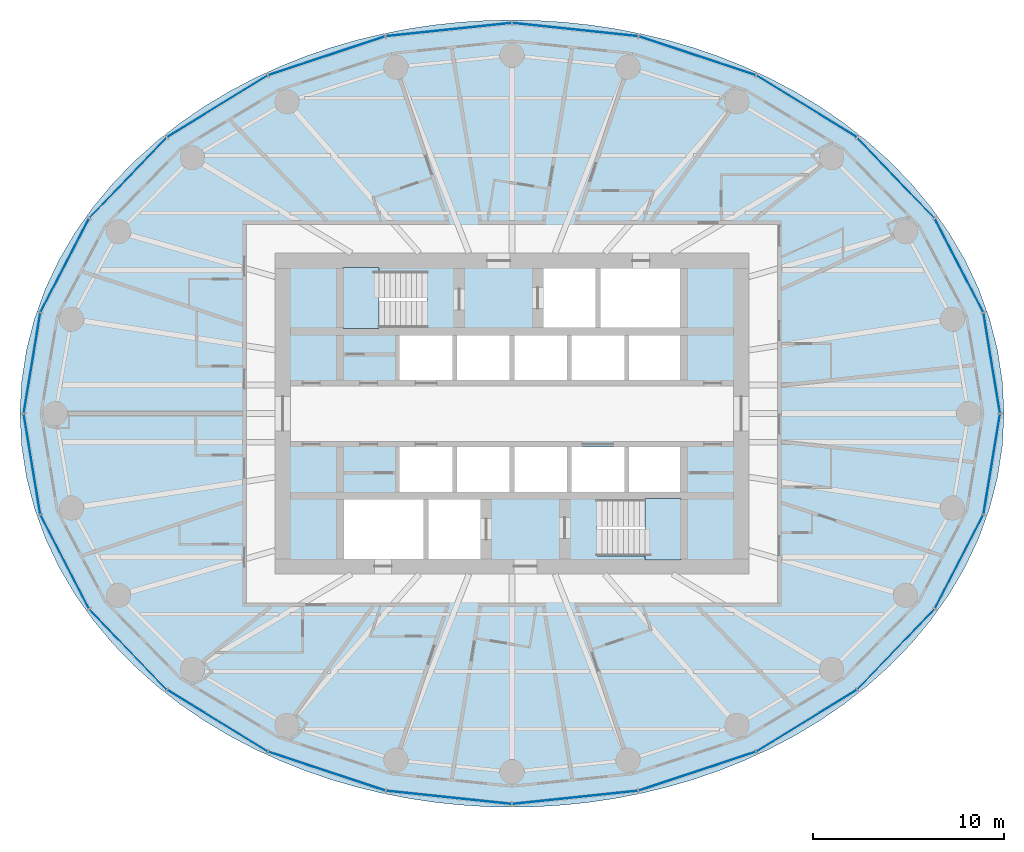
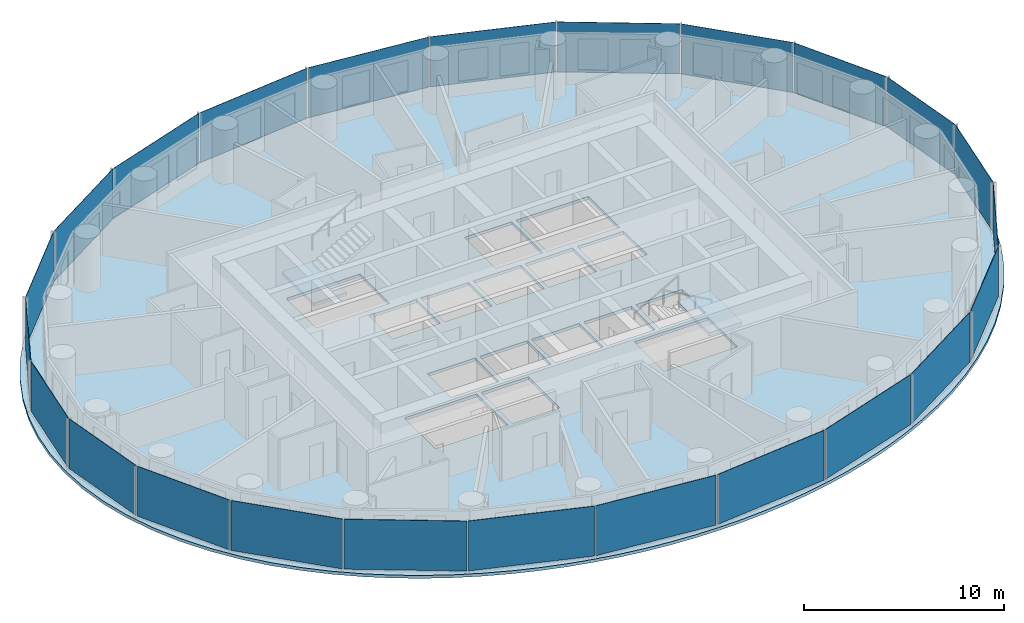
# One storey, part 5 of 13: 24 plates, 3 slabs, 6 elements without a shape of their own.
"""IFC4 building model written with IfcOpenShell, lengths in metres."""

from ifc_helpers import new_model, si_unit, direction, frame, origin, origin_2d, place, context, subcontext, project, spatial, polyline, rectangle, outline, extrude, material, layer, layer_set, type_object, element, aggregate, save


model = new_model("IFC4")

# Units and contexts
model_context = context("Model", 3, precision=1e-05, world=origin(), true_north=direction((0.0, 1.0)))
body_context = subcontext(model_context, "Body", "Model", "MODEL_VIEW")
ifc_project = project(units=[si_unit("LENGTHUNIT", "METRE"), si_unit("AREAUNIT", "SQUARE_METRE"), si_unit("VOLUMEUNIT", "CUBIC_METRE"), si_unit("PLANEANGLEUNIT", "RADIAN"), si_unit("MASSUNIT", "GRAM", prefix="KILO")], contexts=[model_context])

# Site, building, storey
site_placement = place(None, origin())
site = spatial("IfcSite", under=ifc_project, at=site_placement, CompositionType="ELEMENT")
building_placement = place(site_placement, origin())
building = spatial("IfcBuilding", under=site, at=building_placement, Name="Hankou Lantern Tower", CompositionType="ELEMENT")
storey_placement = place(building_placement, frame((0.0, 0.0, 122.10009765625)))
storey = spatial("IfcBuildingStorey", under=building, at=storey_placement, Name="L31", CompositionType="ELEMENT", Elevation=122.10009765625)

# Curtain wall, plates
ifc_material_1 = material(Name="Glass, dark grey tinted laminated", Category="glass")
curtain_wall_type = type_object("IfcCurtainWallType", Name="CWB OUTER SKIN MID-RISE", PredefinedType="USERDEFINED", material=ifc_material_1)
curtain_wall_1_placement = place(storey_placement, origin())
curtain_wall_1 = element("IfcCurtainWall", 1, at=curtain_wall_1_placement, inside=storey, type_object=curtain_wall_type, Name="CWB L31 OS1", ObjectType="OUTER SKIN MID-RISE", PredefinedType="USERDEFINED")
ifc_material_2 = material(Name="Glass, dark grey tinted laminated", Category="glass")
ifc_layer_1 = layer(ifc_material_2, 0.02392578125)
ifc_layer_set_1 = layer_set([ifc_layer_1], Name="Glass, dark grey tinted laminated")
plate_type = type_object("IfcPlateType", Name="PN1 OUTER SKIN GLASS PANEL", PredefinedType="CURTAIN_PANEL", material=ifc_layer_set_1)
plate_1_placement = place(storey_placement, frame((25.11474609375, 2.64501953125, 0.079833984375), z_axis=(0.0, 0.0, 1.0), x_axis=(-0.162381515188, 0.986728049427, 0.0)))
plate_1 = element("IfcPlate", 2, at=plate_1_placement, type_object=plate_type, Name="CWB glass panel 1", PredefinedType="CURTAIN_PANEL", context=body_context, shape_type="SweptSolid", body=[
    extrude(rectangle(XDim=5.281494140625, YDim=0.02392578125, at=origin_2d()), origin(), (0.0, 0.0, 1.0), 3.0400390625),
])
plate_2_placement = place(storey_placement, frame((23.403076171875, 7.755126953125, 0.079833984375), z_axis=(0.0, 0.0, 1.0), x_axis=(-0.459791091957, 0.888027112062, 0.0)))
plate_2 = element("IfcPlate", 3, at=plate_2_placement, type_object=plate_type, Name="CWB glass panel 2", PredefinedType="CURTAIN_PANEL", context=body_context, shape_type="SweptSolid", body=[
    extrude(rectangle(XDim=5.471435546875, YDim=0.02392578125, at=origin_2d()), origin(), (0.0, 0.0, 1.0), 3.0400390625),
])
plate_3_placement = place(storey_placement, frame((20.0966796875, 12.336669921875, 0.079833984375), z_axis=(0.0, 0.0, 1.0), x_axis=(-0.692215809936, 0.721690565599, 0.0)))
plate_3 = element("IfcPlate", 4, at=plate_3_placement, type_object=plate_type, Name="CWB glass panel 3", PredefinedType="CURTAIN_PANEL", context=body_context, shape_type="SweptSolid", body=[
    extrude(rectangle(XDim=5.78564453125, YDim=0.02392578125, at=origin_2d()), origin(), (0.0, 0.0, 1.0), 3.0400390625),
])
plate_4_placement = place(storey_placement, frame((15.4208984375, 16.077392578125, 0.079833984375), z_axis=(0.0, 0.0, 1.0), x_axis=(-0.852237151549, 0.523155653242, 0.0)))
plate_4 = element("IfcPlate", 5, at=plate_4_placement, type_object=plate_type, Name="CWB glass panel 4", PredefinedType="CURTAIN_PANEL", context=body_context, shape_type="SweptSolid", body=[
    extrude(rectangle(XDim=6.129150390625, YDim=0.02392578125, at=origin_2d()), origin(), (0.0, 0.0, 1.0), 3.0400390625),
])
plate_5_placement = place(storey_placement, frame((9.69384765625, 18.72265625, 0.079833984375), z_axis=(0.0, 0.0, 1.0), x_axis=(-0.949240677293, 0.31455068999, 0.0)))
plate_5 = element("IfcPlate", 6, at=plate_5_placement, type_object=plate_type, Name="CWB glass panel 5", PredefinedType="CURTAIN_PANEL", context=body_context, shape_type="SweptSolid", body=[
    extrude(rectangle(XDim=6.41162109375, YDim=0.02392578125, at=origin_2d()), origin(), (0.0, 0.0, 1.0), 3.0400390625),
])
plate_6_placement = place(storey_placement, frame((3.306396484375, 20.091796875, 0.079833984375), z_axis=(0.0, 0.0, 1.0), x_axis=(-0.994499359107, 0.104742659579, 0.0)))
plate_6 = element("IfcPlate", 7, at=plate_6_placement, type_object=plate_type, Name="CWB glass panel 6", PredefinedType="CURTAIN_PANEL", context=body_context, shape_type="SweptSolid", body=[
    extrude(rectangle(XDim=6.5693359375, YDim=0.02392578125, at=origin_2d()), origin(), (0.0, 0.0, 1.0), 3.0400390625),
])
aggregate(curtain_wall_1, [plate_1, plate_2, plate_3, plate_4, plate_5, plate_6])

curtain_wall_2_placement = place(storey_placement, origin())
curtain_wall_2 = element("IfcCurtainWall", 8, at=curtain_wall_2_placement, inside=storey, type_object=curtain_wall_type, Name="CWB L31 OS2", ObjectType="OUTER SKIN MID-RISE", PredefinedType="USERDEFINED")
plate_7_placement = place(storey_placement, frame((-3.306396484375, 20.091796875, 0.079833984375), z_axis=(0.0, 0.0, 1.0), x_axis=(-0.994499359107, -0.104742659579, 0.0)))
plate_7 = element("IfcPlate", 9, at=plate_7_placement, type_object=plate_type, Name="CWB glass panel 1", PredefinedType="CURTAIN_PANEL", context=body_context, shape_type="SweptSolid", body=[
    extrude(rectangle(XDim=6.5693359375, YDim=0.02392578125, at=origin_2d()), origin(), (0.0, 0.0, 1.0), 3.0400390625),
])
plate_8_placement = place(storey_placement, frame((-9.69384765625, 18.72265625, 0.079833984375), z_axis=(0.0, 0.0, 1.0), x_axis=(-0.949240677293, -0.31455068999, 0.0)))
plate_8 = element("IfcPlate", 10, at=plate_8_placement, type_object=plate_type, Name="CWB glass panel 2", PredefinedType="CURTAIN_PANEL", context=body_context, shape_type="SweptSolid", body=[
    extrude(rectangle(XDim=6.41162109375, YDim=0.02392578125, at=origin_2d()), origin(), (0.0, 0.0, 1.0), 3.0400390625),
])
plate_9_placement = place(storey_placement, frame((-15.4208984375, 16.077392578125, 0.079833984375), z_axis=(0.0, 0.0, 1.0), x_axis=(-0.852237151549, -0.523155653242, 0.0)))
plate_9 = element("IfcPlate", 11, at=plate_9_placement, type_object=plate_type, Name="CWB glass panel 3", PredefinedType="CURTAIN_PANEL", context=body_context, shape_type="SweptSolid", body=[
    extrude(rectangle(XDim=6.129150390625, YDim=0.02392578125, at=origin_2d()), origin(), (0.0, 0.0, 1.0), 3.0400390625),
])
plate_10_placement = place(storey_placement, frame((-20.0966796875, 12.336669921875, 0.079833984375), z_axis=(0.0, 0.0, 1.0), x_axis=(-0.692215809936, -0.721690565599, 0.0)))
plate_10 = element("IfcPlate", 12, at=plate_10_placement, type_object=plate_type, Name="CWB glass panel 4", PredefinedType="CURTAIN_PANEL", context=body_context, shape_type="SweptSolid", body=[
    extrude(rectangle(XDim=5.78564453125, YDim=0.02392578125, at=origin_2d()), origin(), (0.0, 0.0, 1.0), 3.0400390625),
])
plate_11_placement = place(storey_placement, frame((-23.403076171875, 7.755126953125, 0.079833984375), z_axis=(0.0, 0.0, 1.0), x_axis=(-0.459791091957, -0.888027112062, 0.0)))
plate_11 = element("IfcPlate", 13, at=plate_11_placement, type_object=plate_type, Name="CWB glass panel 5", PredefinedType="CURTAIN_PANEL", context=body_context, shape_type="SweptSolid", body=[
    extrude(rectangle(XDim=5.471435546875, YDim=0.02392578125, at=origin_2d()), origin(), (0.0, 0.0, 1.0), 3.0400390625),
])
plate_12_placement = place(storey_placement, frame((-25.11474609375, 2.64501953125, 0.079833984375), z_axis=(0.0, 0.0, 1.0), x_axis=(-0.162381515188, -0.986728049427, 0.0)))
plate_12 = element("IfcPlate", 14, at=plate_12_placement, type_object=plate_type, Name="CWB glass panel 6", PredefinedType="CURTAIN_PANEL", context=body_context, shape_type="SweptSolid", body=[
    extrude(rectangle(XDim=5.281494140625, YDim=0.02392578125, at=origin_2d()), origin(), (0.0, 0.0, 1.0), 3.0400390625),
])
aggregate(curtain_wall_2, [plate_7, plate_8, plate_9, plate_10, plate_11, plate_12])

curtain_wall_3_placement = place(storey_placement, origin())
curtain_wall_3 = element("IfcCurtainWall", 15, at=curtain_wall_3_placement, inside=storey, type_object=curtain_wall_type, Name="CWB L31 OS3", ObjectType="OUTER SKIN MID-RISE", PredefinedType="USERDEFINED")
plate_13_placement = place(storey_placement, frame((-25.11474609375, -2.64501953125, 0.079833984375), z_axis=(0.0, 0.0, 1.0), x_axis=(0.162381515188, -0.986728049427, 0.0)))
plate_13 = element("IfcPlate", 16, at=plate_13_placement, type_object=plate_type, Name="CWB glass panel 1", PredefinedType="CURTAIN_PANEL", context=body_context, shape_type="SweptSolid", body=[
    extrude(rectangle(XDim=5.281494140625, YDim=0.02392578125, at=origin_2d()), origin(), (0.0, 0.0, 1.0), 3.0400390625),
])
plate_14_placement = place(storey_placement, frame((-23.403076171875, -7.755126953125, 0.079833984375), z_axis=(0.0, 0.0, 1.0), x_axis=(0.459791091957, -0.888027112062, 0.0)))
plate_14 = element("IfcPlate", 17, at=plate_14_placement, type_object=plate_type, Name="CWB glass panel 2", PredefinedType="CURTAIN_PANEL", context=body_context, shape_type="SweptSolid", body=[
    extrude(rectangle(XDim=5.471435546875, YDim=0.02392578125, at=origin_2d()), origin(), (0.0, 0.0, 1.0), 3.0400390625),
])
plate_15_placement = place(storey_placement, frame((-20.0966796875, -12.336669921875, 0.079833984375), z_axis=(0.0, 0.0, 1.0), x_axis=(0.692215809936, -0.721690565599, 0.0)))
plate_15 = element("IfcPlate", 18, at=plate_15_placement, type_object=plate_type, Name="CWB glass panel 3", PredefinedType="CURTAIN_PANEL", context=body_context, shape_type="SweptSolid", body=[
    extrude(rectangle(XDim=5.78564453125, YDim=0.02392578125, at=origin_2d()), origin(), (0.0, 0.0, 1.0), 3.0400390625),
])
plate_16_placement = place(storey_placement, frame((-15.4208984375, -16.077392578125, 0.079833984375), z_axis=(0.0, 0.0, 1.0), x_axis=(0.852237151549, -0.523155653242, 0.0)))
plate_16 = element("IfcPlate", 19, at=plate_16_placement, type_object=plate_type, Name="CWB glass panel 4", PredefinedType="CURTAIN_PANEL", context=body_context, shape_type="SweptSolid", body=[
    extrude(rectangle(XDim=6.129150390625, YDim=0.02392578125, at=origin_2d()), origin(), (0.0, 0.0, 1.0), 3.0400390625),
])
plate_17_placement = place(storey_placement, frame((-9.69384765625, -18.72265625, 0.079833984375), z_axis=(0.0, 0.0, 1.0), x_axis=(0.949240677293, -0.31455068999, 0.0)))
plate_17 = element("IfcPlate", 20, at=plate_17_placement, type_object=plate_type, Name="CWB glass panel 5", PredefinedType="CURTAIN_PANEL", context=body_context, shape_type="SweptSolid", body=[
    extrude(rectangle(XDim=6.41162109375, YDim=0.02392578125, at=origin_2d()), origin(), (0.0, 0.0, 1.0), 3.0400390625),
])
plate_18_placement = place(storey_placement, frame((-3.306396484375, -20.091796875, 0.079833984375), z_axis=(0.0, 0.0, 1.0), x_axis=(0.994499359107, -0.104742659579, 0.0)))
plate_18 = element("IfcPlate", 21, at=plate_18_placement, type_object=plate_type, Name="CWB glass panel 6", PredefinedType="CURTAIN_PANEL", context=body_context, shape_type="SweptSolid", body=[
    extrude(rectangle(XDim=6.5693359375, YDim=0.02392578125, at=origin_2d()), origin(), (0.0, 0.0, 1.0), 3.0400390625),
])
aggregate(curtain_wall_3, [plate_13, plate_14, plate_15, plate_16, plate_17, plate_18])

curtain_wall_4_placement = place(storey_placement, origin())
curtain_wall_4 = element("IfcCurtainWall", 22, at=curtain_wall_4_placement, inside=storey, type_object=curtain_wall_type, Name="CWB L31 OS4", ObjectType="OUTER SKIN MID-RISE", PredefinedType="USERDEFINED")
plate_19_placement = place(storey_placement, frame((3.306396484375, -20.091796875, 0.079833984375), z_axis=(0.0, 0.0, 1.0), x_axis=(0.994499359107, 0.104742659579, 0.0)))
plate_19 = element("IfcPlate", 23, at=plate_19_placement, type_object=plate_type, Name="CWB glass panel 1", PredefinedType="CURTAIN_PANEL", context=body_context, shape_type="SweptSolid", body=[
    extrude(rectangle(XDim=6.5693359375, YDim=0.02392578125, at=origin_2d()), origin(), (0.0, 0.0, 1.0), 3.0400390625),
])
plate_20_placement = place(storey_placement, frame((9.69384765625, -18.72265625, 0.079833984375), z_axis=(0.0, 0.0, 1.0), x_axis=(0.949240677293, 0.31455068999, 0.0)))
plate_20 = element("IfcPlate", 24, at=plate_20_placement, type_object=plate_type, Name="CWB glass panel 2", PredefinedType="CURTAIN_PANEL", context=body_context, shape_type="SweptSolid", body=[
    extrude(rectangle(XDim=6.41162109375, YDim=0.02392578125, at=origin_2d()), origin(), (0.0, 0.0, 1.0), 3.0400390625),
])
plate_21_placement = place(storey_placement, frame((15.4208984375, -16.077392578125, 0.079833984375), z_axis=(0.0, 0.0, 1.0), x_axis=(0.852237151549, 0.523155653242, 0.0)))
plate_21 = element("IfcPlate", 25, at=plate_21_placement, type_object=plate_type, Name="CWB glass panel 3", PredefinedType="CURTAIN_PANEL", context=body_context, shape_type="SweptSolid", body=[
    extrude(rectangle(XDim=6.129150390625, YDim=0.02392578125, at=origin_2d()), origin(), (0.0, 0.0, 1.0), 3.0400390625),
])
plate_22_placement = place(storey_placement, frame((20.0966796875, -12.336669921875, 0.079833984375), z_axis=(0.0, 0.0, 1.0), x_axis=(0.692215809936, 0.721690565599, 0.0)))
plate_22 = element("IfcPlate", 26, at=plate_22_placement, type_object=plate_type, Name="CWB glass panel 4", PredefinedType="CURTAIN_PANEL", context=body_context, shape_type="SweptSolid", body=[
    extrude(rectangle(XDim=5.78564453125, YDim=0.02392578125, at=origin_2d()), origin(), (0.0, 0.0, 1.0), 3.0400390625),
])
plate_23_placement = place(storey_placement, frame((23.403076171875, -7.755126953125, 0.079833984375), z_axis=(0.0, 0.0, 1.0), x_axis=(0.459791091957, 0.888027112062, 0.0)))
plate_23 = element("IfcPlate", 27, at=plate_23_placement, type_object=plate_type, Name="CWB glass panel 5", PredefinedType="CURTAIN_PANEL", context=body_context, shape_type="SweptSolid", body=[
    extrude(rectangle(XDim=5.471435546875, YDim=0.02392578125, at=origin_2d()), origin(), (0.0, 0.0, 1.0), 3.0400390625),
])
plate_24_placement = place(storey_placement, frame((25.11474609375, -2.64501953125, 0.079833984375), z_axis=(0.0, 0.0, 1.0), x_axis=(0.162381515188, 0.986728049427, 0.0)))
plate_24 = element("IfcPlate", 28, at=plate_24_placement, type_object=plate_type, Name="CWB glass panel 6", PredefinedType="CURTAIN_PANEL", context=body_context, shape_type="SweptSolid", body=[
    extrude(rectangle(XDim=5.281494140625, YDim=0.02392578125, at=origin_2d()), origin(), (0.0, 0.0, 1.0), 3.0400390625),
])
aggregate(curtain_wall_4, [plate_19, plate_20, plate_21, plate_22, plate_23, plate_24])

# Slab
ifc_material_3 = material(Name="Concrete C50", Category="concrete")
ifc_layer_2 = layer(ifc_material_3, 0.179931640625)
ifc_layer_set_2 = layer_set([ifc_layer_2], Name="Concrete C50")
slab_type_1 = type_object("IfcSlabType", Name="S1 CONCRETE FLOOR SLAB 180", PredefinedType="FLOOR", material=ifc_layer_set_2)
slab_1_placement = place(storey_placement, frame((0.0, 0.0, -0.18017578125)))
element("IfcSlab", 29, at=slab_1_placement, inside=storey, type_object=slab_type_1, Name="Floor slab L31", PredefinedType="FLOOR", context=body_context, shape_type="SweptSolid", body=[
    extrude(outline(polyline([(25.75, 0.0), (25.6640625, 1.68212890625), (25.408203125, 3.344970703125), (24.9892578125, 4.970703125), (24.416748046875, 6.54248046875), (23.704345703125, 8.046630859375), (22.86669921875, 9.4716796875), (21.919921875, 10.809814453125), (20.88037109375, 12.05517578125), (19.763427734375, 13.205322265625), (18.58349609375, 14.259765625), (17.35400390625, 15.218994140625), (16.0859375, 16.0859375), (14.7890625, 16.863525390625), (13.47119140625, 17.55615234375), (12.138916015625, 18.167236328125), (10.79736328125, 18.701416015625), (9.449951171875, 19.16259765625), (8.099609375, 19.554443359375), (6.748291015625, 19.8798828125), (5.397216796875, 20.142333984375), (4.046630859375, 20.343994140625), (2.697021484375, 20.486572265625), (1.348388671875, 20.57177734375), (0.0, 20.60009765625), (-1.348388671875, 20.57177734375), (-2.697021484375, 20.486572265625), (-4.046630859375, 20.343994140625), (-5.397216796875, 20.142333984375), (-6.748291015625, 19.8798828125), (-8.099609375, 19.554443359375), (-9.449951171875, 19.16259765625), (-10.79736328125, 18.701416015625), (-12.138916015625, 18.167236328125), (-13.47119140625, 17.55615234375), (-14.7890625, 16.863525390625), (-16.0859375, 16.0859375), (-17.35400390625, 15.218994140625), (-18.58349609375, 14.259765625), (-19.763427734375, 13.205322265625), (-20.88037109375, 12.05517578125), (-21.919921875, 10.809814453125), (-22.86669921875, 9.4716796875), (-23.704345703125, 8.046630859375), (-24.416748046875, 6.54248046875), (-24.9892578125, 4.970703125), (-25.408203125, 3.344970703125), (-25.6640625, 1.68212890625), (-25.75, 0.0), (-25.6640625, -1.68212890625), (-25.408203125, -3.344970703125), (-24.9892578125, -4.970703125), (-24.416748046875, -6.54248046875), (-23.704345703125, -8.046630859375), (-22.86669921875, -9.4716796875), (-21.919921875, -10.809814453125), (-20.88037109375, -12.05517578125), (-19.763427734375, -13.205322265625), (-18.58349609375, -14.259765625), (-17.35400390625, -15.218994140625), (-16.0859375, -16.0859375), (-14.7890625, -16.863525390625), (-13.47119140625, -17.55615234375), (-12.138916015625, -18.167236328125), (-10.79736328125, -18.701416015625), (-9.449951171875, -19.16259765625), (-8.099609375, -19.554443359375), (-6.748291015625, -19.8798828125), (-5.397216796875, -20.142333984375), (-4.046630859375, -20.343994140625), (-2.697021484375, -20.486572265625), (-1.348388671875, -20.57177734375), (0.0, -20.60009765625), (1.348388671875, -20.57177734375), (2.697021484375, -20.486572265625), (4.046630859375, -20.343994140625), (5.397216796875, -20.142333984375), (6.748291015625, -19.8798828125), (8.099609375, -19.554443359375), (9.449951171875, -19.16259765625), (10.79736328125, -18.701416015625), (12.138916015625, -18.167236328125), (13.47119140625, -17.55615234375), (14.7890625, -16.863525390625), (16.0859375, -16.0859375), (17.35400390625, -15.218994140625), (18.58349609375, -14.259765625), (19.763427734375, -13.205322265625), (20.88037109375, -12.05517578125), (21.919921875, -10.809814453125), (22.86669921875, -9.4716796875), (23.704345703125, -8.046630859375), (24.416748046875, -6.54248046875), (24.9892578125, -4.970703125), (25.408203125, -3.344970703125), (25.6640625, -1.68212890625), (25.75, 0.0)]), holes=[polyline([(-5.875, 4.10009765625), (-3.125, 4.10009765625), (-3.125, 1.75), (-5.875, 1.75), (-5.875, 4.10009765625)]), polyline([(-2.875, 4.10009765625), (-0.125, 4.10009765625), (-0.125, 1.75), (-2.875, 1.75), (-2.875, 4.10009765625)]), polyline([(0.125, 4.10009765625), (2.875, 4.10009765625), (2.875, 1.75), (0.125, 1.75), (0.125, 4.10009765625)]), polyline([(3.125, 4.10009765625), (5.875, 4.10009765625), (5.875, 1.75), (3.125, 1.75), (3.125, 4.10009765625)]), polyline([(6.125, 4.10009765625), (8.800048828125, 4.10009765625), (8.800048828125, 1.75), (6.125, 1.75), (6.125, 4.10009765625)]), polyline([(-5.875, -1.75), (-3.125, -1.75), (-3.125, -4.10009765625), (-5.875, -4.10009765625), (-5.875, -1.75)]), polyline([(-2.875, -1.75), (-0.125, -1.75), (-0.125, -4.10009765625), (-2.875, -4.10009765625), (-2.875, -1.75)]), polyline([(0.125, -1.75), (2.875, -1.75), (2.875, -4.10009765625), (0.125, -4.10009765625), (0.125, -1.75)]), polyline([(3.125, -1.75), (5.875, -1.75), (5.875, -4.10009765625), (3.125, -4.10009765625), (3.125, -1.75)]), polyline([(6.125, -1.75), (8.800048828125, -1.75), (8.800048828125, -4.10009765625), (6.125, -4.10009765625), (6.125, -1.75)]), polyline([(1.64990234375, 7.60009765625), (4.375, 7.60009765625), (4.375, 4.5), (1.64990234375, 4.5), (1.64990234375, 7.60009765625)]), polyline([(-4.375, -4.5), (-1.64990234375, -4.5), (-1.64990234375, -7.60009765625), (-4.375, -7.60009765625), (-4.375, -4.5)]), polyline([(-8.699951171875, 7.449951171875), (-4.449951171875, 7.449951171875), (-4.449951171875, 4.5), (-8.699951171875, 4.5), (-8.699951171875, 7.449951171875)]), polyline([(4.449951171875, -4.5), (8.699951171875, -4.5), (8.699951171875, -7.449951171875), (4.449951171875, -7.449951171875), (4.449951171875, -4.5)]), polyline([(4.625, 7.60009765625), (8.800048828125, 7.60009765625), (8.800048828125, 4.5), (4.625, 4.5), (4.625, 7.60009765625)]), polyline([(-8.800048828125, -4.5), (-4.625, -4.5), (-4.625, -7.60009765625), (-8.800048828125, -7.60009765625), (-8.800048828125, -4.5)])]), origin(), (0.0, 0.0, 1.0), 0.18017578125),
])

# Stair, slab
ifc_material_4 = material(Name="Concrete C40", Category="concrete")
stair_type = type_object("IfcStairType", Name="ST33 CORE STAIR 3300 RISE", PredefinedType="HALF_TURN_STAIR", material=ifc_material_4)
stair_1_placement = place(storey_placement, origin())
stair_1 = element("IfcStair", 30, at=stair_1_placement, inside=storey, type_object=stair_type, Name="Stair STA L31", PredefinedType="HALF_TURN_STAIR")
ifc_material_5 = material(Name="Concrete C40", Category="concrete")
ifc_layer_3 = layer(ifc_material_5, 0.199951171875)
ifc_layer_set_3 = layer_set([ifc_layer_3], Name="Concrete C40")
slab_type_2 = type_object("IfcSlabType", Name="SL1 STAIR LANDING 200", PredefinedType="LANDING", material=ifc_layer_set_3)
slab_2_placement = place(storey_placement, frame((0.0, 0.0, 1.371337890625)))
slab_2 = element("IfcSlab", 31, at=slab_2_placement, type_object=slab_type_2, Name="STA landing 1", PredefinedType="LANDING", context=body_context, shape_type="SweptSolid", body=[
    extrude(outline(polyline([(-8.85009765625, 4.449951171875), (-6.949951171875, 4.449951171875), (-6.949951171875, 7.64990234375), (-8.85009765625, 7.64990234375), (-8.85009765625, 4.449951171875)])), origin(), (0.0, 0.0, 1.0), 0.199951171875),
])
aggregate(stair_1, [slab_2])

stair_2_placement = place(storey_placement, origin())
stair_2 = element("IfcStair", 32, at=stair_2_placement, inside=storey, type_object=stair_type, Name="Stair STB L31", PredefinedType="HALF_TURN_STAIR")
slab_3_placement = place(storey_placement, frame((0.0, 0.0, 1.371337890625)))
slab_3 = element("IfcSlab", 33, at=slab_3_placement, type_object=slab_type_2, Name="STB landing 1", PredefinedType="LANDING", context=body_context, shape_type="SweptSolid", body=[
    extrude(outline(polyline([(8.85009765625, -4.449951171875), (6.949951171875, -4.449951171875), (6.949951171875, -7.64990234375), (8.85009765625, -7.64990234375), (8.85009765625, -4.449951171875)])), origin(), (0.0, 0.0, 1.0), 0.199951171875),
])
aggregate(stair_2, [slab_3])

save(model, "model.ifc")
